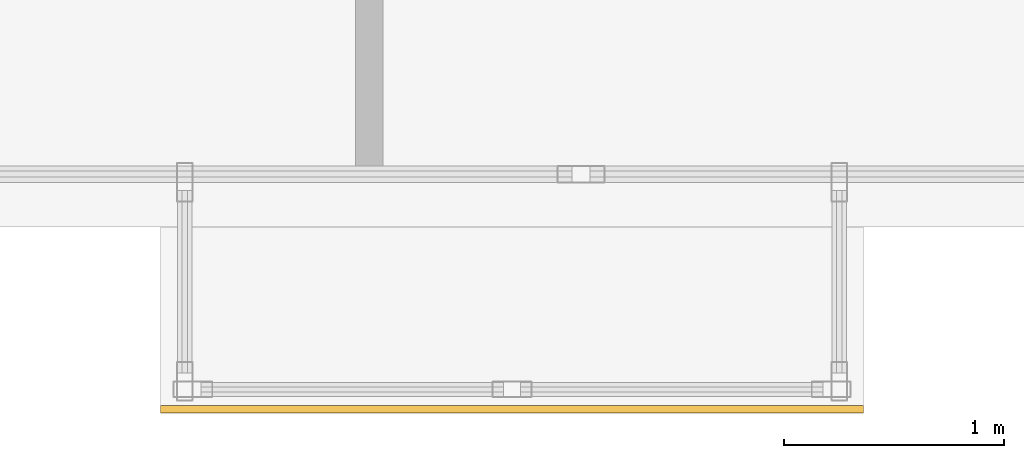
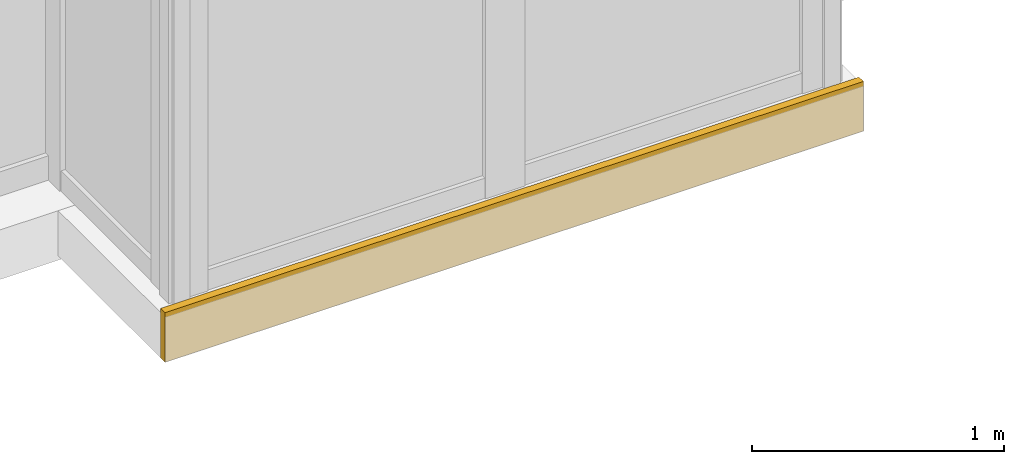
# One storey, part 25 of 26: 1 covering.
"""IFC4 building model written with IfcOpenShell, lengths in metres."""

from ifc_helpers import new_model, si_unit, direction, frame, origin, origin_2d, place, context, subcontext, project, spatial, rectangle, extrude, material, layer, layer_set, type_object, element, save


model = new_model("IFC4")

# Units and contexts
model_context = context("Model", 3, precision=1e-05, world=origin(), true_north=direction((0.0, 1.0)))
body_context = subcontext(model_context, "Body", "Model", "MODEL_VIEW")
ifc_project = project(units=[si_unit("LENGTHUNIT", "METRE"), si_unit("AREAUNIT", "SQUARE_METRE"), si_unit("VOLUMEUNIT", "CUBIC_METRE"), si_unit("PLANEANGLEUNIT", "RADIAN"), si_unit("MASSUNIT", "GRAM", prefix="KILO")], contexts=[model_context])

# Site, building, storey
site_placement = place(None, origin())
site = spatial("IfcSite", under=ifc_project, at=site_placement, CompositionType="ELEMENT")
building_placement = place(site_placement, origin())
building = spatial("IfcBuilding", under=site, at=building_placement, Name="Kolvaren Waterfront Exchange", CompositionType="ELEMENT")
storey_placement = place(building_placement, frame((0.0, 0.0, 150.0)))
storey = spatial("IfcBuildingStorey", under=building, at=storey_placement, Name="L38", CompositionType="ELEMENT", Elevation=150.0)

# Covering
ifc_material = material(Name="Anodised bronze fascia aluminium", Category="aluminium")
ifc_layer = layer(ifc_material, 0.034912109375, Name="Anodised bronze fascia aluminium")
ifc_layer_set = layer_set([ifc_layer], Name="Anodised bronze fascia aluminium")
covering_type = type_object("IfcCoveringType", Name="ARC-CLAD-BRONZE-35", PredefinedType="CLADDING", material=ifc_layer_set)
covering_placement = place(storey_placement, frame((40.5, 2.77001953125, -0.22021484375), z_axis=(0.0, 0.0, 1.0), x_axis=(1.0, 0.0, 0.0)))
element("IfcCovering", 1, at=covering_placement, inside=storey, type_object=covering_type, Name="L38 ribbed anodised bronze bay-box fascia", PredefinedType="CLADDING", context=body_context, shape_type="SweptSolid", body=[
    extrude(rectangle(XDim=3.199951171875, YDim=0.034912109375, at=origin_2d()), origin(), (0.0, 0.0, 1.0), 0.239990234375),
])

save(model, "model.ifc")
